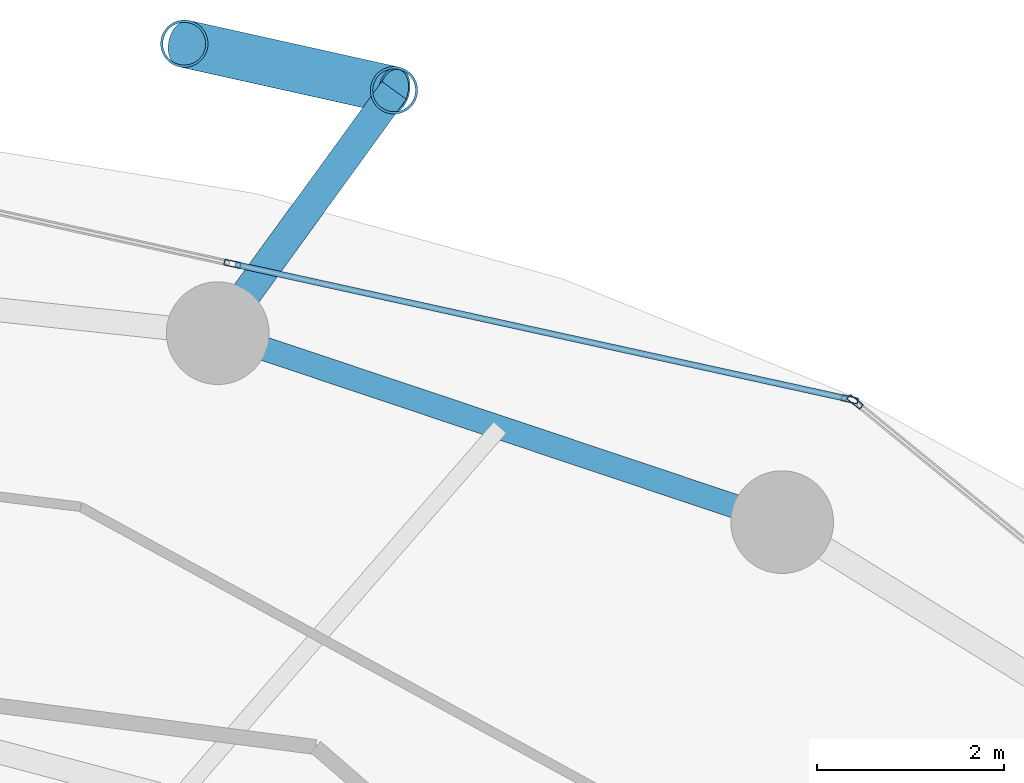
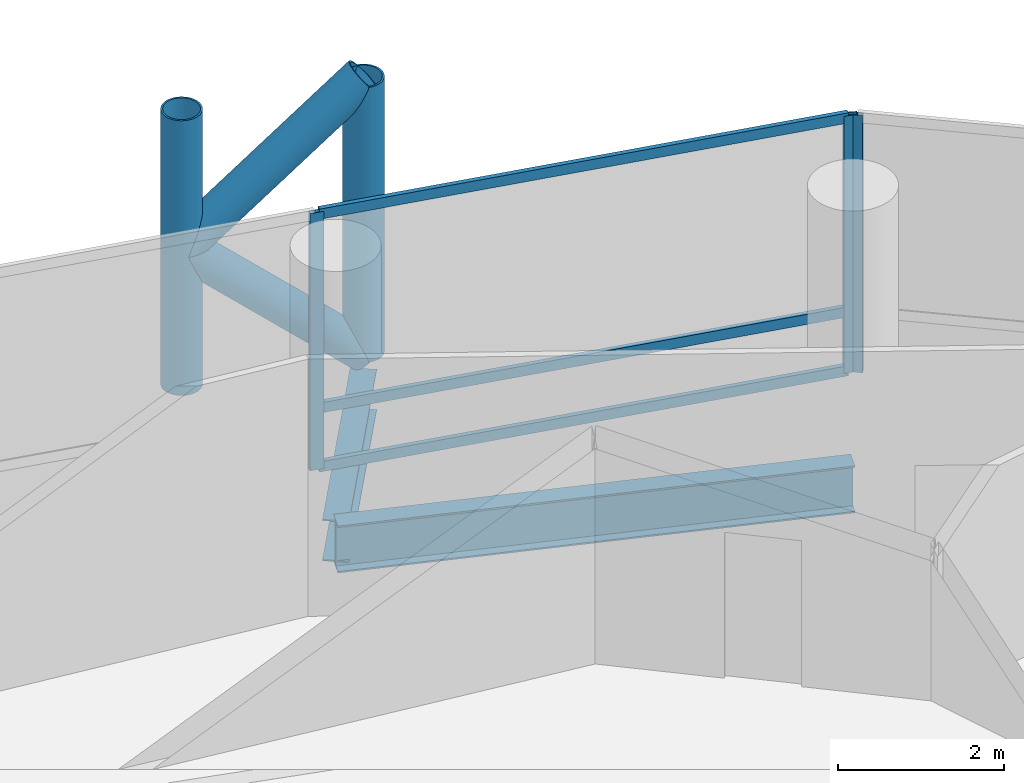
# One storey, part 18 of 25: 10 members, 2 beams, 2 elements without a shape of their own.
"""IFC4 building model written with IfcOpenShell, lengths in metres."""

from ifc_helpers import new_model, si_unit, direction, frame, origin, origin_2d, place, context, subcontext, project, spatial, hollow_rectangle, hollow_circle, i_section, extrude, material, layer, layer_set, material_profile, profile_set, type_object, element, aggregate, save


model = new_model("IFC4")

# Units and contexts
model_context = context("Model", 3, precision=1e-05, world=origin(), true_north=direction((0.0, 1.0)))
body_context = subcontext(model_context, "Body", "Model", "MODEL_VIEW")
ifc_project = project(units=[si_unit("LENGTHUNIT", "METRE"), si_unit("AREAUNIT", "SQUARE_METRE"), si_unit("VOLUMEUNIT", "CUBIC_METRE"), si_unit("PLANEANGLEUNIT", "RADIAN"), si_unit("MASSUNIT", "GRAM", prefix="KILO")], contexts=[model_context])

# Site, building, storey
site_placement = place(None, origin())
site = spatial("IfcSite", under=ifc_project, at=site_placement, CompositionType="ELEMENT")
building_placement = place(site_placement, origin())
building = spatial("IfcBuilding", under=site, at=building_placement, Name="Nuhasar Tower", CompositionType="ELEMENT")
storey_placement = place(building_placement, frame((0.0, 0.0, 45.300048828125)))
storey = spatial("IfcBuildingStorey", under=building, at=storey_placement, Name="L10", CompositionType="ELEMENT", Elevation=45.300048828125)

# Beams
ifc_material_1 = material(Name="Steel S355", Category="steel")
ifc_material_profile_1 = material_profile(ifc_material_1, i_section(OverallWidth=0.256103515625, OverallDepth=0.693115234375, WebThickness=0.014404296875, FlangeThickness=0.023681640625, at=origin_2d()), Name="W27X114")
ifc_profile_set_1 = profile_set([ifc_material_profile_1], Name="Steel S355")
beam_type_1 = type_object("IfcBeamType", Name="BM-RING-W27X114", PredefinedType="SPANDREL", material=ifc_profile_set_1)
beam_1_placement = place(storey_placement, frame((51.52490234375, 44.3369140625, -0.60595703125), z_axis=(-0.948249435708, 0.317526388949, 0.0), x_axis=(-0.317526388949, -0.948249435708, 0.0)))
element("IfcBeam", 1, at=beam_1_placement, inside=storey, type_object=beam_type_1, Name="L10 Perimeter Ring Spandrel 05", PredefinedType="SPANDREL", context=body_context, shape_type="SweptSolid", body=[
    extrude(i_section(OverallWidth=0.256103515625, OverallDepth=0.693115234375, WebThickness=0.014404296875, FlangeThickness=0.023681640625, at=origin_2d()), origin(), (0.0, 0.0, 1.0), 6.371826171875),
])
ifc_material_profile_2 = material_profile(ifc_material_1, i_section(OverallWidth=0.323974609375, OverallDepth=0.611083984375, WebThickness=0.0126953125, FlangeThickness=0.01904296875, at=origin_2d()), Name="W24X104")
ifc_profile_set_2 = profile_set([ifc_material_profile_2], Name="Steel S355")
beam_type_2 = type_object("IfcBeamType", Name="BM-TIE-W24X104", PredefinedType="BEAM", material=ifc_profile_set_2)
beam_2_placement = place(storey_placement, frame((45.48291015625, 46.360107421875, -0.566162109375), z_axis=(0.587439442414, 0.809268127073, 0.0), x_axis=(-0.809268127073, 0.587439442414, 0.0)))
element("IfcBeam", 2, at=beam_2_placement, inside=storey, type_object=beam_type_2, Name="L10 Exoskeleton Node Tie Beam 03", PredefinedType="BEAM", context=body_context, shape_type="SweptSolid", body=[
    extrude(i_section(OverallWidth=0.323974609375, OverallDepth=0.611083984375, WebThickness=0.0126953125, FlangeThickness=0.01904296875, at=origin_2d()), origin(), (0.0, 0.0, 1.0), 3.212646484375),
])

# Curtain wall, member
ifc_material_2 = material(Name="Aluminium 6063-T6", Category="aluminium")
ifc_layer = layer(ifc_material_2, 0.199951171875)
ifc_layer_set = layer_set([ifc_layer], Name="Aluminium 6063-T6")
curtain_wall_type = type_object("IfcCurtainWallType", Name="CW-Z1-OFF", PredefinedType="NOTDEFINED", material=ifc_layer_set)
curtain_wall_1_placement = place(storey_placement, origin())
curtain_wall_1 = element("IfcCurtainWall", 3, at=curtain_wall_1_placement, inside=storey, type_object=curtain_wall_type, Name="L10 Unitised Curtain Wall 02", PredefinedType="NOTDEFINED")
ifc_material_profile_3 = material_profile(ifc_material_2, hollow_rectangle(XDim=0.06494140625, YDim=0.179931640625, WallThickness=0.0048828125, at=origin_2d()), Name="CWM-2")
ifc_profile_set_3 = profile_set([ifc_material_profile_3], Name="Aluminium 6063-T6")
member_type_1 = type_object("IfcMemberType", Name="CW-MUL-S2", PredefinedType="MULLION", material=ifc_profile_set_3)
member_1_placement = place(storey_placement, frame((52.30517578125, 45.62451171875, 0.0), z_axis=(0.0, 0.0, 1.0), x_axis=(-0.633744593376, -0.773542364946, 0.0)))
member_1 = element("IfcMember", 4, at=member_1_placement, type_object=member_type_1, Name="CW-Z1 mullion 2", PredefinedType="MULLION", context=body_context, shape_type="SweptSolid", body=[
    extrude(hollow_rectangle(XDim=0.06494140625, YDim=0.179931640625, WallThickness=0.0048828125, at=origin_2d()), origin(), (0.0, 0.0, 1.0), 3.7900390625),
])
aggregate(curtain_wall_1, [member_1])

# Curtain wall, members
curtain_wall_2_placement = place(storey_placement, origin())
curtain_wall_2 = element("IfcCurtainWall", 5, at=curtain_wall_2_placement, inside=storey, type_object=curtain_wall_type, Name="L10 Unitised Curtain Wall 03", PredefinedType="NOTDEFINED")
member_2_placement = place(storey_placement, frame((52.248291015625, 45.65185546875, 0.0), z_axis=(0.0, 0.0, 1.0), x_axis=(-0.214398737637, -0.976746221544, 0.0)))
member_2 = element("IfcMember", 6, at=member_2_placement, type_object=member_type_1, Name="CW-Z1 mullion 1", PredefinedType="MULLION", context=body_context, shape_type="SweptSolid", body=[
    extrude(hollow_rectangle(XDim=0.06494140625, YDim=0.179931640625, WallThickness=0.0048828125, at=origin_2d()), origin(), (0.0, 0.0, 1.0), 3.7900390625),
])
member_3_placement = place(storey_placement, frame((45.639892578125, 47.1025390625, 0.0), z_axis=(0.0, 0.0, 1.0), x_axis=(-0.214398737637, -0.976746221544, 0.0)))
member_3 = element("IfcMember", 7, at=member_3_placement, type_object=member_type_1, Name="CW-Z1 mullion 2", PredefinedType="MULLION", context=body_context, shape_type="SweptSolid", body=[
    extrude(hollow_rectangle(XDim=0.06494140625, YDim=0.179931640625, WallThickness=0.0048828125, at=origin_2d()), origin(), (0.0, 0.0, 1.0), 3.7900390625),
])
ifc_material_profile_4 = material_profile(ifc_material_2, hollow_rectangle(XDim=0.06494140625, YDim=0.14990234375, WallThickness=0.00439453125, at=origin_2d()), Name="CWT-2")
ifc_profile_set_4 = profile_set([ifc_material_profile_4], Name="Aluminium 6063-T6")
member_type_2 = type_object("IfcMemberType", Name="CW-TRN-S2", PredefinedType="USERDEFINED", material=ifc_profile_set_4)
member_4_placement = place(storey_placement, frame((52.216552734375, 45.658935546875, 0.032470703125), z_axis=(-0.976749553792, 0.214383556196, 0.0), x_axis=(-0.214383556196, -0.976749553792, 0.0)))
member_4 = element("IfcMember", 8, at=member_4_placement, type_object=member_type_2, Name="CW-Z1 transom 1.1", ObjectType="TRANSOM", PredefinedType="USERDEFINED", context=body_context, shape_type="SweptSolid", body=[
    extrude(hollow_rectangle(XDim=0.06494140625, YDim=0.14990234375, WallThickness=0.00439453125, at=origin_2d()), origin(), (0.0, 0.0, 1.0), 6.70068359375),
])
member_5_placement = place(storey_placement, frame((52.216552734375, 45.658935546875, 0.89990234375), z_axis=(-0.976749553792, 0.214383556196, 0.0), x_axis=(-0.214383556196, -0.976749553792, 0.0)))
member_5 = element("IfcMember", 9, at=member_5_placement, type_object=member_type_2, Name="CW-Z1 transom 1.2", ObjectType="TRANSOM", PredefinedType="USERDEFINED", context=body_context, shape_type="SweptSolid", body=[
    extrude(hollow_rectangle(XDim=0.06494140625, YDim=0.14990234375, WallThickness=0.00439453125, at=origin_2d()), origin(), (0.0, 0.0, 1.0), 6.70068359375),
])
member_6_placement = place(storey_placement, frame((52.216552734375, 45.658935546875, 3.757568359375), z_axis=(-0.976749553792, 0.214383556196, 0.0), x_axis=(-0.214383556196, -0.976749553792, 0.0)))
member_6 = element("IfcMember", 10, at=member_6_placement, type_object=member_type_2, Name="CW-Z1 transom 1.3", ObjectType="TRANSOM", PredefinedType="USERDEFINED", context=body_context, shape_type="SweptSolid", body=[
    extrude(hollow_rectangle(XDim=0.06494140625, YDim=0.14990234375, WallThickness=0.00439453125, at=origin_2d()), origin(), (0.0, 0.0, 1.0), 6.70068359375),
])
aggregate(curtain_wall_2, [member_2, member_3, member_4, member_5, member_6])

# Members
ifc_material_3 = material(Name="Steel S460", Category="steel")
ifc_material_profile_5 = material_profile(ifc_material_3, hollow_circle(Radius=0.25390625, WallThickness=0.025390625, at=origin_2d()), Name="HSS508X25.4")
ifc_profile_set_5 = profile_set([ifc_material_profile_5], Name="Steel S460")
member_type_3 = type_object("IfcMemberType", Name="EXO-BRONZE-508", PredefinedType="BRACE", material=ifc_profile_set_5)
for number, where, z_axis, x_axis, name in (
    (11, (47.3701171875, 48.9599609375, 0.0), (0.0, 0.0, 1.0), (1.0, 0.0, 0.0), "L10 Exoskeleton Chord Column EC-03A"),
    (12, (45.1240234375, 49.458984375, 0.0), (0.0, 0.0, 1.0), (1.0, 0.0, 0.0), "L10 Exoskeleton Chord Column EC-03B"),
):
    element("IfcMember", number, at=place(storey_placement, frame(where, z_axis=z_axis, x_axis=x_axis)), inside=storey, type_object=member_type_3, Name=name, PredefinedType="BRACE", context=body_context, shape_type="SweptSolid", body=[
        extrude(hollow_circle(Radius=0.25390625, WallThickness=0.025390625, at=origin_2d()), origin(), (0.0, 0.0, 1.0), 4.050048828125),
    ])
member_7_placement = place(storey_placement, frame((47.3701171875, 48.9599609375, 0.0), z_axis=(-0.732821471909, 0.162813813976, 0.660654487828), x_axis=(-0.216885517571, -0.97619704582, 0.0)))
element("IfcMember", 13, at=member_7_placement, inside=storey, type_object=member_type_3, Name="L10 Bronze Diagrid Brace W1-03", PredefinedType="BRACE", context=body_context, shape_type="SweptSolid", body=[
    extrude(hollow_circle(Radius=0.25390625, WallThickness=0.025390625, at=origin_2d()), origin(), (0.0, 0.0, 1.0), 3.06494140625),
])
member_8_placement = place(storey_placement, frame((45.1240234375, 49.458984375, 2.02490234375), z_axis=(0.732782908552, -0.162805246204, 0.660699372439), x_axis=(0.216885517571, 0.97619704582, 0.0)))
element("IfcMember", 14, at=member_8_placement, inside=storey, type_object=member_type_3, Name="L10 Bronze Diagrid Brace W2-03", PredefinedType="BRACE", context=body_context, shape_type="SweptSolid", body=[
    extrude(hollow_circle(Radius=0.25390625, WallThickness=0.025390625, at=origin_2d()), origin(), (0.0, 0.0, 1.0), 3.065185546875),
])

save(model, "model.ifc")
